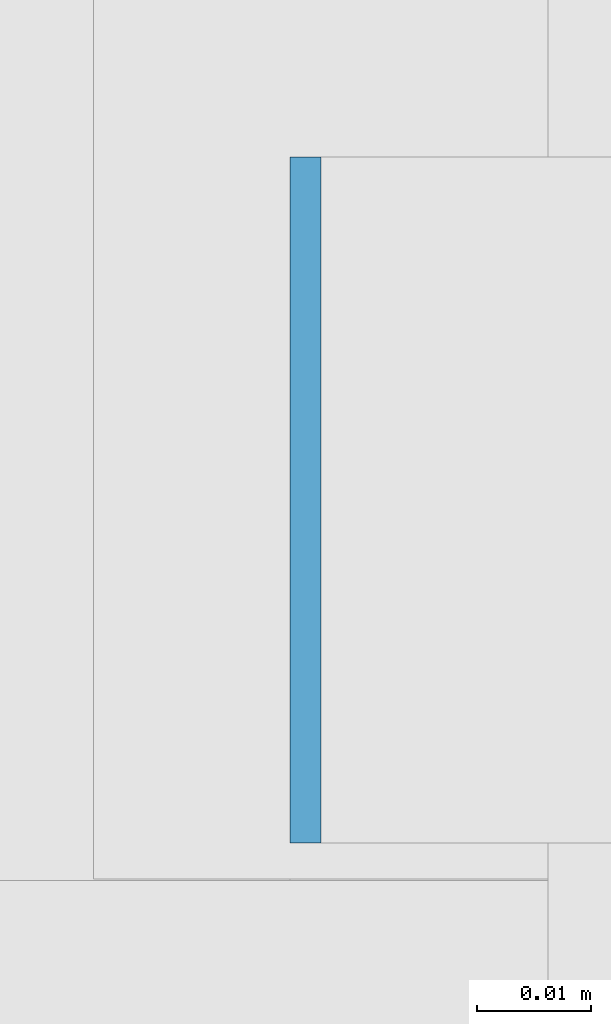
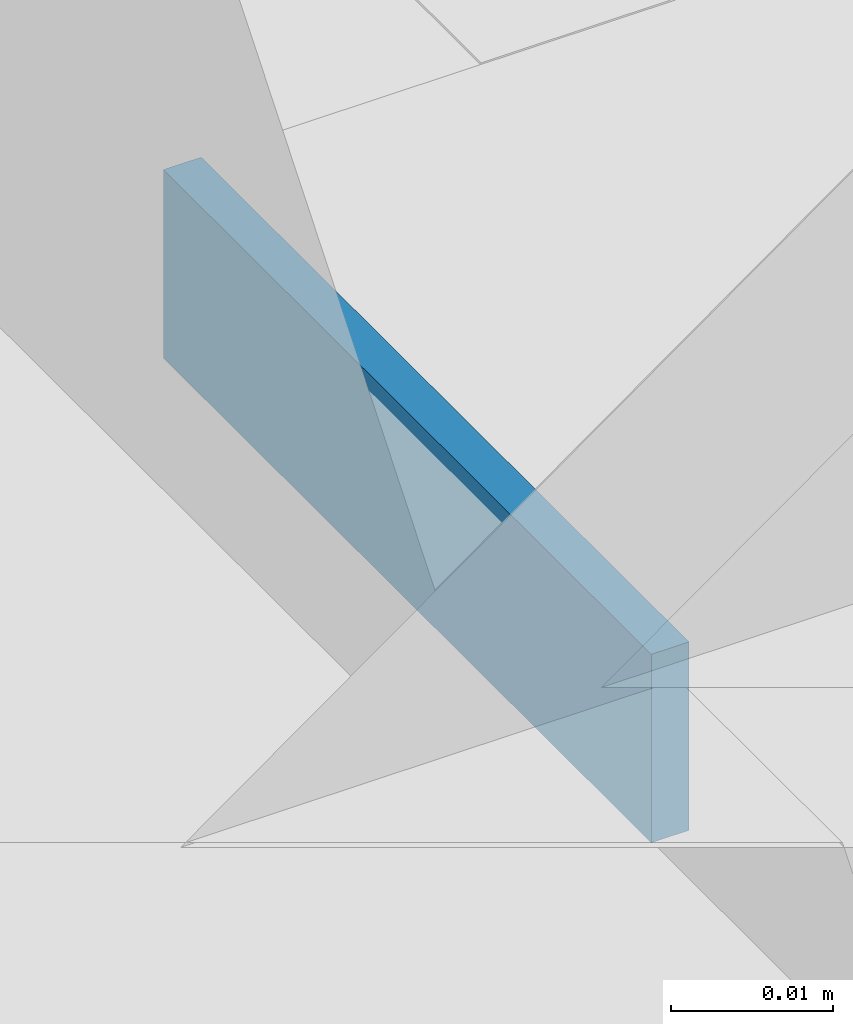
# One storey, part 439 of 646: 1 discrete accessory.
"""IFC4 building model written with IfcOpenShell, lengths in metres."""

import ifcopenshell
import ifcopenshell.guid

model = None  # the IFC model being written
_history = None  # IfcOwnerHistory: only IFC2X3 demands one
_inside = {}  # id of a spatial element -> (the spatial element, [elements in it])
_under = {}  # id of a project, library or spatial element -> (it, [spatial elements below it])
_declared = {}  # id of a project -> (the project, [libraries it declares])
_typed = {}  # id of a type object -> (the type object, [elements of that type])
_made_of = {}  # id of a material, layer set ... -> (it, [elements and type objects made of it])


def new_model(schema):
    """Start an empty IFC model of exactly this schema.

    Asked for "IFC4X3", IfcOpenShell would pick the latest addendum, in which some entities
    have other attributes; the version numbers below select the first issue.
    IFC2X3 requires an IfcOwnerHistory on every rooted entity: one is made here for all.
    """
    global model, _history
    if schema == "IFC4X3":
        model = ifcopenshell.file(schema_version=(4, 3, 0, 0))
    else:
        model = ifcopenshell.file(schema=schema)
    _inside.clear()
    _under.clear()
    _declared.clear()
    _typed.clear()
    _made_of.clear()
    _history = None
    if model.schema == "IFC2X3":
        org = make("IfcOrganization", Name="unknown")
        user = make(
            "IfcPersonAndOrganization",
            ThePerson=make("IfcPerson", FamilyName="unknown"),
            TheOrganization=org,
        )
        app = make(
            "IfcApplication",
            ApplicationDeveloper=org,
            Version="unknown",
            ApplicationFullName="unknown",
            ApplicationIdentifier="unknown",
        )
        _history = make(
            "IfcOwnerHistory",
            OwningUser=user,
            OwningApplication=app,
            ChangeAction="ADDED",
            CreationDate=0,
        )
    return model


def make(cls, **values):
    """One entity of the class cls with the attributes given. An attribute that is None is left unset."""
    return model.create_entity(
        cls, **{name: value for name, value in values.items() if value is not None}
    )


def rooted(cls, **values):
    """An entity with a GlobalId (a new one), such as an element, a storey or a relation."""
    return make(cls, GlobalId=ifcopenshell.guid.new(), OwnerHistory=_history, **values)


def si_unit(unit_type, name, prefix=None):
    """IfcSIUnit, for example si_unit("LENGTHUNIT", "METRE", prefix="MILLI")."""
    return make("IfcSIUnit", UnitType=unit_type, Prefix=prefix, Name=name)


def assignment(units):
    """IfcUnitAssignment: the units of a project."""
    return None if units is None else make("IfcUnitAssignment", Units=units)


def point(xyz):
    """IfcCartesianPoint."""
    return None if xyz is None else make("IfcCartesianPoint", Coordinates=xyz)


def direction(xyz):
    """IfcDirection."""
    return None if xyz is None else make("IfcDirection", DirectionRatios=xyz)


def frame(location, z_axis=None, x_axis=None):
    """IfcAxis2Placement3D, a coordinate frame: its origin and axes. An axis left out is left unset."""
    return make(
        "IfcAxis2Placement3D",
        Location=point(location),
        Axis=direction(z_axis),
        RefDirection=direction(x_axis),
    )


def frame_2d(location, x_axis=None):
    """IfcAxis2Placement2D, a coordinate frame in the plane: its origin and x axis."""
    return make(
        "IfcAxis2Placement2D", Location=point(location), RefDirection=direction(x_axis)
    )


def origin():
    """The frame at (0, 0, 0) with its axes left unset."""
    return frame((0.0, 0.0, 0.0))


def origin_2d():
    """The frame at (0, 0) in the plane with its x axis left unset."""
    return frame_2d((0.0, 0.0))


def place(relative_to, where):
    """IfcLocalPlacement: puts the frame where relative to a parent placement (None: the world)."""
    return make(
        "IfcLocalPlacement", PlacementRelTo=relative_to, RelativePlacement=where
    )


def context(
    kind, dimensions, precision=None, world=None, true_north=None, identifier=None
):
    """IfcGeometricRepresentationContext, for example the 3D "Model" context."""
    return make(
        "IfcGeometricRepresentationContext",
        ContextIdentifier=identifier,
        ContextType=kind,
        CoordinateSpaceDimension=dimensions,
        Precision=precision,
        WorldCoordinateSystem=world,
        TrueNorth=true_north,
    )


def subcontext(parent, identifier, kind, view, scale=None):
    """IfcGeometricRepresentationSubContext, for example "Body" below "Model"."""
    return make(
        "IfcGeometricRepresentationSubContext",
        ContextIdentifier=identifier,
        ContextType=kind,
        ParentContext=parent,
        TargetScale=scale,
        TargetView=view,
    )


def project(units=None, contexts=None):
    """IfcProject with its units and contexts."""
    return rooted(
        "IfcProject",
        Name="project",
        RepresentationContexts=contexts,
        UnitsInContext=assignment(units),
    )


def spatial(cls, under=None, at=None, **own):
    """A site, building, storey or space (cls), placed at a placement, below another one or the project."""
    s = rooted(cls, ObjectPlacement=at, **own)
    if under is not None:
        _under.setdefault(under.id(), (under, []))[1].append(s)
    return s


def profile(cls, at=None, kind="AREA", **sizes):
    """A parametric profile (cls). Its sizes go by their IFC names, for example OverallWidth=200.0."""
    return make(cls, ProfileType=kind, Position=at, **sizes)


def rectangle(**sizes):
    """IfcRectangleProfileDef."""
    return profile("IfcRectangleProfileDef", **sizes)


def extrude(swept, where, along, depth):
    """IfcExtrudedAreaSolid: the profile swept, set in the frame where, extruded along a direction by depth."""
    return make(
        "IfcExtrudedAreaSolid",
        SweptArea=swept,
        Position=where,
        ExtrudedDirection=direction(along),
        Depth=depth,
    )


def shape(context_of_items, identifier, shape_type, items):
    """IfcShapeRepresentation: the items that make up one representation, for example the "Body"."""
    return make(
        "IfcShapeRepresentation",
        ContextOfItems=context_of_items,
        RepresentationIdentifier=identifier,
        RepresentationType=shape_type,
        Items=items,
    )


def material(Name=None, Category=None):
    """IfcMaterial."""
    return make("IfcMaterial", Name=Name, Category=Category)


def made_of(thing, what):
    """Note that an element or type object is made of a material, layer set ...; save() writes the relation."""
    if what is not None:
        _made_of.setdefault(what.id(), (what, []))[1].append(thing)
    return thing


def type_object(cls, material=None, **own):
    """A type object (cls), such as IfcWallType, which elements share."""
    return made_of(rooted(cls, **own), material)


def element(
    cls,
    number,
    at=None,
    inside=None,
    cuts=None,
    type_object=None,
    material=None,
    context=None,
    identifier="Body",
    shape_type=None,
    held_by="IfcProductDefinitionShape",
    body=None,
    shapes=None,
    **own,
):
    """One element of the class cls, such as IfcWall. Its Tag is "e" and its number.

    at: its placement. inside: the storey or other place that contains it. cuts: it is an
    opening in that element (IfcRelVoidsElement). A single representation is given by context,
    identifier, shape_type and body (its items); several are given by shapes. held_by: the class
    of the entity that holds the representations. save() writes the other relations.
    """
    e = rooted(cls, Tag="e%d" % number, ObjectPlacement=at, **own)
    if body is not None:
        shapes = [shape(context, identifier, shape_type, body)]
    if shapes is not None:
        e.Representation = make(held_by, Representations=shapes)
    if inside is not None:
        _inside.setdefault(inside.id(), (inside, []))[1].append(e)
    if cuts is not None:
        rooted(
            "IfcRelVoidsElement", RelatingBuildingElement=cuts, RelatedOpeningElement=e
        )
    if type_object is not None:
        _typed.setdefault(type_object.id(), (type_object, []))[1].append(e)
    return made_of(e, material)


def aggregate(whole, parts):
    """IfcRelAggregates: a whole, such as a stair, and the parts it consists of."""
    return rooted("IfcRelAggregates", RelatingObject=whole, RelatedObjects=parts)


def save(model, path):
    """Write the relations noted so far, then the file.

    IfcRelAggregates (storeys below a building ...), IfcRelContainedInSpatialStructure (elements
    in a storey), IfcRelDefinesByType, IfcRelAssociatesMaterial and IfcRelDeclares: one each for
    every whole, place, type object, material and project.
    """
    for whole, parts in _under.values():
        aggregate(whole, parts)
    for where, things in _inside.values():
        rooted(
            "IfcRelContainedInSpatialStructure",
            RelatedElements=things,
            RelatingStructure=where,
        )
    for kind, things in _typed.values():
        rooted("IfcRelDefinesByType", RelatedObjects=things, RelatingType=kind)
    for what, things in _made_of.values():
        rooted("IfcRelAssociatesMaterial", RelatedObjects=things, RelatingMaterial=what)
    for by, libraries in _declared.values():
        rooted("IfcRelDeclares", RelatingContext=by, RelatedDefinitions=libraries)
    model.write(path)


model = new_model("IFC4")

# Units and contexts
model_context = context("Model", 3, precision=1e-05, world=origin(), true_north=direction((0.0, 1.0)))
body_context = subcontext(model_context, "Body", "Model", "MODEL_VIEW")
ifc_project = project(units=[si_unit("LENGTHUNIT", "METRE"), si_unit("AREAUNIT", "SQUARE_METRE"), si_unit("VOLUMEUNIT", "CUBIC_METRE"), si_unit("PLANEANGLEUNIT", "RADIAN"), si_unit("MASSUNIT", "GRAM", prefix="KILO")], contexts=[model_context])

# Site, building, storey
site_placement = place(None, origin())
site = spatial("IfcSite", under=ifc_project, at=site_placement, CompositionType="ELEMENT")
building_placement = place(site_placement, origin())
building = spatial("IfcBuilding", under=site, at=building_placement, Name="Silverbay Arena", CompositionType="ELEMENT")
storey_placement = place(building_placement, frame((0.0, 0.0, 33.5)))
storey = spatial("IfcBuildingStorey", under=building, at=storey_placement, Name="L05", CompositionType="ELEMENT", Elevation=33.5)

# Discrete accessory
ifc_material = material(Name="Steel S355", Category="steel")
discrete_accessory_type = type_object("IfcDiscreteAccessoryType", Name="Steel bracket plate", PredefinedType="BRACKET", material=ifc_material)
discrete_accessory_placement = place(storey_placement, frame((207.128662109375, 33.13330078125, 12.98583984375), z_axis=(0.0, 0.0, 1.0), x_axis=(1.0, 0.0, 0.0)))
element("IfcDiscreteAccessory", 1, at=discrete_accessory_placement, inside=storey, type_object=discrete_accessory_type, Name="Curtain wall packing plate", PredefinedType="BRACKET", context=body_context, shape_type="SweptSolid", body=[
    extrude(rectangle(XDim=0.002685546875, YDim=0.06005859375, at=origin_2d()), origin(), (0.0, 0.0, 1.0), 0.01416015625),
])

save(model, "model.ifc")
